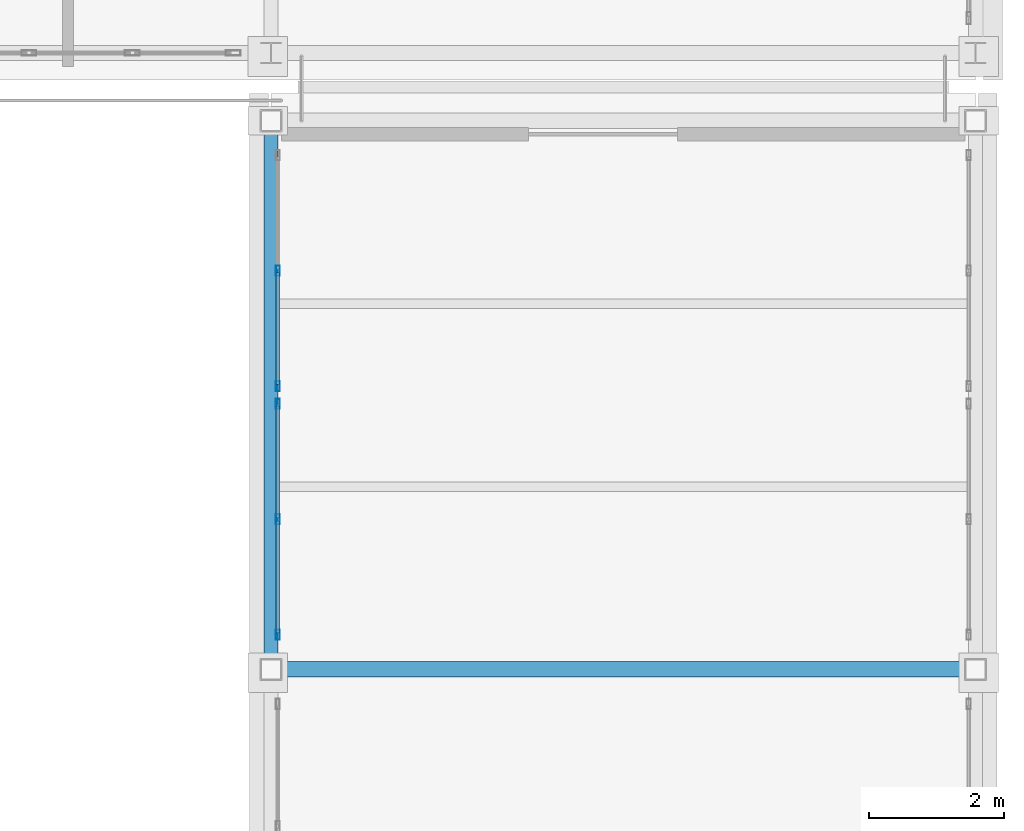
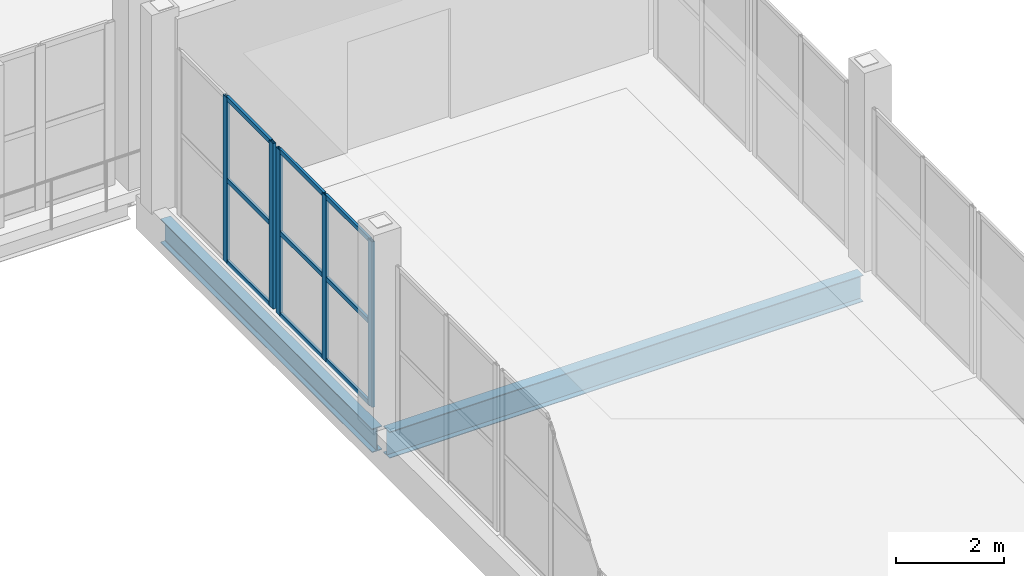
# One storey, part 78 of 156: 14 members, 2 beams, 2 elements without a shape of their own.
"""IFC4 building model written with IfcOpenShell, lengths in metres."""

from ifc_helpers import new_model, si_unit, direction, frame, origin, origin_2d, place, context, subcontext, project, spatial, hollow_rectangle, i_section, extrude, material, material_profile, profile_set, type_object, element, aggregate, save


model = new_model("IFC4")

# Units and contexts
model_context = context("Model", 3, precision=1e-05, world=origin(), true_north=direction((0.0, 1.0)))
body_context = subcontext(model_context, "Body", "Model", "MODEL_VIEW")
ifc_project = project(units=[si_unit("LENGTHUNIT", "METRE"), si_unit("AREAUNIT", "SQUARE_METRE"), si_unit("VOLUMEUNIT", "CUBIC_METRE"), si_unit("PLANEANGLEUNIT", "RADIAN"), si_unit("MASSUNIT", "GRAM", prefix="KILO")], contexts=[model_context])

# Site, building, storey
site_placement = place(None, origin())
site = spatial("IfcSite", under=ifc_project, at=site_placement, CompositionType="ELEMENT")
building_placement = place(site_placement, origin())
building = spatial("IfcBuilding", under=site, at=building_placement, Name="Caurita Quay Ferry Terminal", CompositionType="ELEMENT")
storey_placement = place(building_placement, frame((0.0, 0.0, 5.39990234375)))
storey = spatial("IfcBuildingStorey", under=building, at=storey_placement, Name="L01", CompositionType="ELEMENT", Elevation=5.39990234375)

# Beams
ifc_material_1 = material(Name="Structural steel ASTM A992 Gr. 50", Category="steel")
ifc_material_profile_1 = material_profile(ifc_material_1, i_section(OverallWidth=0.210693359375, OverallDepth=0.53857421875, WebThickness=0.01171875, FlangeThickness=0.018798828125, FilletRadius=0.013916015625, at=origin_2d()), Name="W21X73")
ifc_profile_set_1 = profile_set([ifc_material_profile_1], Name="Structural steel ASTM A992 Gr. 50")
beam_type_1 = type_object("IfcBeamType", Name="BM-GR-W21A", PredefinedType="BEAM", material=ifc_profile_set_1)
beam_1_placement = place(storey_placement, frame((163.60009765625, 25.62939453125, -0.504150390625), z_axis=(0.0, 1.0, 0.0), x_axis=(-1.0, 0.0, 0.0)))
element("IfcBeam", 1, at=beam_1_placement, inside=storey, type_object=beam_type_1, Name="L01 Beam BM-V3P-L01-Y-1636-256", PredefinedType="BEAM", context=body_context, shape_type="SweptSolid", body=[
    extrude(i_section(OverallWidth=0.210693359375, OverallDepth=0.53857421875, WebThickness=0.01171875, FlangeThickness=0.018798828125, FilletRadius=0.013916015625, at=origin_2d()), origin(), (0.0, 0.0, 1.0), 7.841064453125),
])
ifc_material_profile_2 = material_profile(ifc_material_1, i_section(OverallWidth=0.22802734375, OverallDepth=0.60205078125, WebThickness=0.010498046875, FlangeThickness=0.014892578125, at=origin_2d()), Name="W24X68")
ifc_profile_set_2 = profile_set([ifc_material_profile_2], Name="Structural steel ASTM A992 Gr. 50")
beam_type_2 = type_object("IfcBeamType", Name="BM-GR-W24C", PredefinedType="BEAM", material=ifc_profile_set_2)
beam_2_placement = place(storey_placement, frame((163.7294921875, 25.5, -0.535888671875), z_axis=(1.0, 0.0, 0.0), x_axis=(0.0, 1.0, 0.0)))
element("IfcBeam", 2, at=beam_2_placement, inside=storey, type_object=beam_type_2, Name="L01 Beam BM-V3P-L01-X-1637-255", PredefinedType="BEAM", context=body_context, shape_type="SweptSolid", body=[
    extrude(i_section(OverallWidth=0.22802734375, OverallDepth=0.60205078125, WebThickness=0.010498046875, FlangeThickness=0.014892578125, at=origin_2d()), origin(), (0.0, 0.0, 1.0), 10.14111328125),
])

# Curtain wall, members
ifc_material_2 = material(Name="Laminated solar-control insulated glass", Category="glass")
curtain_wall_type = type_object("IfcCurtainWallType", Name="CW-SYS-16", PredefinedType="NOTDEFINED", material=ifc_material_2)
curtain_wall_1_placement = place(storey_placement, origin())
curtain_wall_1 = element("IfcCurtainWall", 3, at=curtain_wall_1_placement, inside=storey, type_object=curtain_wall_type, Name="Boarding Gangway Ribbon Curtain Wall 128", PredefinedType="NOTDEFINED")
ifc_material_3 = material(Name="Anodized aluminium 6063-T6", Category="aluminium")
ifc_material_profile_3 = material_profile(ifc_material_3, hollow_rectangle(XDim=0.06005859375, YDim=0.14990234375, WallThickness=0.00341796875, at=origin_2d()), Name="ALU-MUL-60X150")
ifc_profile_set_3 = profile_set([ifc_material_profile_3], Name="Anodized aluminium 6063-T6")
member_type_1 = type_object("IfcMemberType", Name="CW-MUL-150", PredefinedType="MULLION", material=ifc_profile_set_3)
member_1_placement = place(storey_placement, frame((163.699951171875, 26.010009765625, 0.0), z_axis=(0.0, 0.0, 1.0), x_axis=(-1.0, 0.0, 0.0)))
member_1 = element("IfcMember", 4, at=member_1_placement, type_object=member_type_1, Name="CW-BGW-128 Mullion 1", PredefinedType="MULLION", context=body_context, shape_type="SweptSolid", body=[
    extrude(hollow_rectangle(XDim=0.06005859375, YDim=0.14990234375, WallThickness=0.00341796875, at=origin_2d()), origin(), (0.0, 0.0, 1.0), 3.75),
])
member_2_placement = place(storey_placement, frame((163.699951171875, 27.715087890625, 0.0), z_axis=(0.0, 0.0, 1.0), x_axis=(-1.0, 0.0, 0.0)))
member_2 = element("IfcMember", 5, at=member_2_placement, type_object=member_type_1, Name="CW-BGW-128 Mullion 2", PredefinedType="MULLION", context=body_context, shape_type="SweptSolid", body=[
    extrude(hollow_rectangle(XDim=0.06005859375, YDim=0.14990234375, WallThickness=0.00341796875, at=origin_2d()), origin(), (0.0, 0.0, 1.0), 3.75),
])
member_3_placement = place(storey_placement, frame((163.699951171875, 29.419921875, 0.0), z_axis=(0.0, 0.0, 1.0), x_axis=(-1.0, 0.0, 0.0)))
member_3 = element("IfcMember", 6, at=member_3_placement, type_object=member_type_1, Name="CW-BGW-128 Mullion 3", PredefinedType="MULLION", context=body_context, shape_type="SweptSolid", body=[
    extrude(hollow_rectangle(XDim=0.06005859375, YDim=0.14990234375, WallThickness=0.00341796875, at=origin_2d()), origin(), (0.0, 0.0, 1.0), 3.75),
])

curtain_wall_2_placement = place(storey_placement, origin())
curtain_wall_2 = element("IfcCurtainWall", 7, at=curtain_wall_2_placement, inside=storey, type_object=curtain_wall_type, Name="Boarding Gangway Ribbon Curtain Wall 129", PredefinedType="NOTDEFINED")
member_4_placement = place(storey_placement, frame((163.699951171875, 29.679931640625, 0.0), z_axis=(0.0, 0.0, 1.0), x_axis=(-1.0, 0.0, 0.0)))
member_4 = element("IfcMember", 8, at=member_4_placement, type_object=member_type_1, Name="CW-BGW-129 Mullion 1", PredefinedType="MULLION", context=body_context, shape_type="SweptSolid", body=[
    extrude(hollow_rectangle(XDim=0.06005859375, YDim=0.14990234375, WallThickness=0.00341796875, at=origin_2d()), origin(), (0.0, 0.0, 1.0), 3.75),
])
member_5_placement = place(storey_placement, frame((163.699951171875, 31.385009765625, 0.0), z_axis=(0.0, 0.0, 1.0), x_axis=(-1.0, 0.0, 0.0)))
member_5 = element("IfcMember", 9, at=member_5_placement, type_object=member_type_1, Name="CW-BGW-129 Mullion 2", PredefinedType="MULLION", context=body_context, shape_type="SweptSolid", body=[
    extrude(hollow_rectangle(XDim=0.06005859375, YDim=0.14990234375, WallThickness=0.00341796875, at=origin_2d()), origin(), (0.0, 0.0, 1.0), 3.75),
])

# Member
ifc_material_profile_4 = material_profile(ifc_material_3, hollow_rectangle(XDim=0.054931640625, YDim=0.10009765625, WallThickness=0.00341796875, at=origin_2d()), Name="ALU-TRN-55X100")
ifc_profile_set_4 = profile_set([ifc_material_profile_4], Name="Anodized aluminium 6063-T6")
member_type_2 = type_object("IfcMemberType", Name="CW-TRN-100", PredefinedType="USERDEFINED", material=ifc_profile_set_4)
member_6_placement = place(storey_placement, frame((163.699951171875, 26.0380859375, 0.027587890625), z_axis=(0.0, 1.0, 0.0), x_axis=(-1.0, 0.0, 0.0)))
member_6 = element("IfcMember", 10, at=member_6_placement, type_object=member_type_2, Name="CW-BGW-128 Transom 1", ObjectType="TRANSOM", PredefinedType="USERDEFINED", context=body_context, shape_type="SweptSolid", body=[
    extrude(hollow_rectangle(XDim=0.054931640625, YDim=0.10009765625, WallThickness=0.00341796875, at=origin_2d()), origin(), (0.0, 0.0, 1.0), 1.64892578125),
])

member_7_placement = place(storey_placement, frame((163.699951171875, 26.0380859375, 1.875), z_axis=(0.0, 1.0, 0.0), x_axis=(-1.0, 0.0, 0.0)))
member_7 = element("IfcMember", 11, at=member_7_placement, type_object=member_type_2, Name="CW-BGW-128 Transom 2", ObjectType="TRANSOM", PredefinedType="USERDEFINED", context=body_context, shape_type="SweptSolid", body=[
    extrude(hollow_rectangle(XDim=0.054931640625, YDim=0.10009765625, WallThickness=0.00341796875, at=origin_2d()), origin(), (0.0, 0.0, 1.0), 1.64892578125),
])

member_8_placement = place(storey_placement, frame((163.699951171875, 26.0380859375, 3.72265625), z_axis=(0.0, 1.0, 0.0), x_axis=(-1.0, 0.0, 0.0)))
member_8 = element("IfcMember", 12, at=member_8_placement, type_object=member_type_2, Name="CW-BGW-128 Transom 3", ObjectType="TRANSOM", PredefinedType="USERDEFINED", context=body_context, shape_type="SweptSolid", body=[
    extrude(hollow_rectangle(XDim=0.054931640625, YDim=0.10009765625, WallThickness=0.00341796875, at=origin_2d()), origin(), (0.0, 0.0, 1.0), 1.64892578125),
])

member_9_placement = place(storey_placement, frame((163.699951171875, 27.742919921875, 0.027587890625), z_axis=(0.0, 1.0, 0.0), x_axis=(-1.0, 0.0, 0.0)))
member_9 = element("IfcMember", 13, at=member_9_placement, type_object=member_type_2, Name="CW-BGW-128 Transom 4", ObjectType="TRANSOM", PredefinedType="USERDEFINED", context=body_context, shape_type="SweptSolid", body=[
    extrude(hollow_rectangle(XDim=0.054931640625, YDim=0.10009765625, WallThickness=0.00341796875, at=origin_2d()), origin(), (0.0, 0.0, 1.0), 1.649169921875),
])

member_10_placement = place(storey_placement, frame((163.699951171875, 27.742919921875, 1.875), z_axis=(0.0, 1.0, 0.0), x_axis=(-1.0, 0.0, 0.0)))
member_10 = element("IfcMember", 14, at=member_10_placement, type_object=member_type_2, Name="CW-BGW-128 Transom 5", ObjectType="TRANSOM", PredefinedType="USERDEFINED", context=body_context, shape_type="SweptSolid", body=[
    extrude(hollow_rectangle(XDim=0.054931640625, YDim=0.10009765625, WallThickness=0.00341796875, at=origin_2d()), origin(), (0.0, 0.0, 1.0), 1.649169921875),
])

member_11_placement = place(storey_placement, frame((163.699951171875, 27.742919921875, 3.72265625), z_axis=(0.0, 1.0, 0.0), x_axis=(-1.0, 0.0, 0.0)))
member_11 = element("IfcMember", 15, at=member_11_placement, type_object=member_type_2, Name="CW-BGW-128 Transom 6", ObjectType="TRANSOM", PredefinedType="USERDEFINED", context=body_context, shape_type="SweptSolid", body=[
    extrude(hollow_rectangle(XDim=0.054931640625, YDim=0.10009765625, WallThickness=0.00341796875, at=origin_2d()), origin(), (0.0, 0.0, 1.0), 1.649169921875),
])

aggregate(curtain_wall_1, [member_1, member_2, member_3, member_6, member_7, member_8, member_9, member_10, member_11])

member_12_placement = place(storey_placement, frame((163.699951171875, 29.7080078125, 0.027587890625), z_axis=(0.0, 1.0, 0.0), x_axis=(-1.0, 0.0, 0.0)))
member_12 = element("IfcMember", 16, at=member_12_placement, type_object=member_type_2, Name="CW-BGW-129 Transom 1", ObjectType="TRANSOM", PredefinedType="USERDEFINED", context=body_context, shape_type="SweptSolid", body=[
    extrude(hollow_rectangle(XDim=0.054931640625, YDim=0.10009765625, WallThickness=0.00341796875, at=origin_2d()), origin(), (0.0, 0.0, 1.0), 1.64892578125),
])

member_13_placement = place(storey_placement, frame((163.699951171875, 29.7080078125, 1.875), z_axis=(0.0, 1.0, 0.0), x_axis=(-1.0, 0.0, 0.0)))
member_13 = element("IfcMember", 17, at=member_13_placement, type_object=member_type_2, Name="CW-BGW-129 Transom 2", ObjectType="TRANSOM", PredefinedType="USERDEFINED", context=body_context, shape_type="SweptSolid", body=[
    extrude(hollow_rectangle(XDim=0.054931640625, YDim=0.10009765625, WallThickness=0.00341796875, at=origin_2d()), origin(), (0.0, 0.0, 1.0), 1.64892578125),
])

member_14_placement = place(storey_placement, frame((163.699951171875, 29.7080078125, 3.72265625), z_axis=(0.0, 1.0, 0.0), x_axis=(-1.0, 0.0, 0.0)))
member_14 = element("IfcMember", 18, at=member_14_placement, type_object=member_type_2, Name="CW-BGW-129 Transom 3", ObjectType="TRANSOM", PredefinedType="USERDEFINED", context=body_context, shape_type="SweptSolid", body=[
    extrude(hollow_rectangle(XDim=0.054931640625, YDim=0.10009765625, WallThickness=0.00341796875, at=origin_2d()), origin(), (0.0, 0.0, 1.0), 1.64892578125),
])

aggregate(curtain_wall_2, [member_4, member_5, member_12, member_13, member_14])

save(model, "model.ifc")
